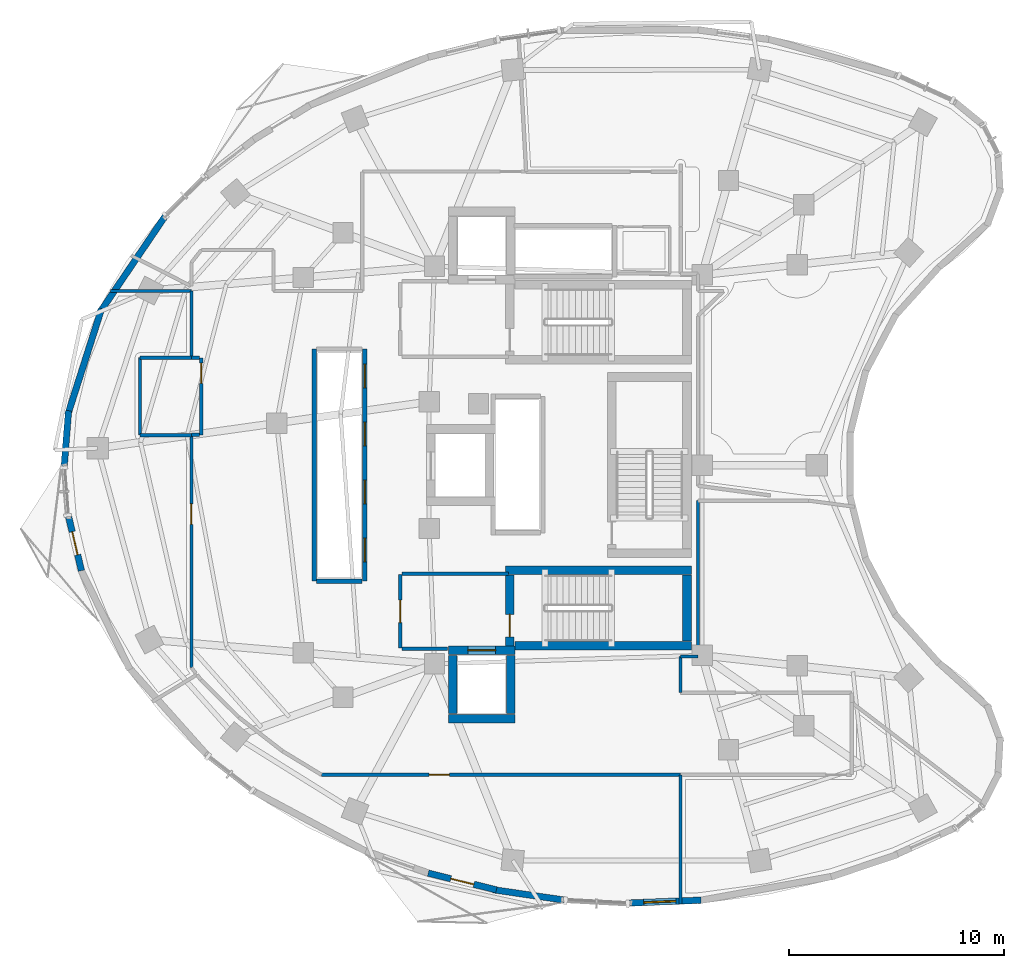
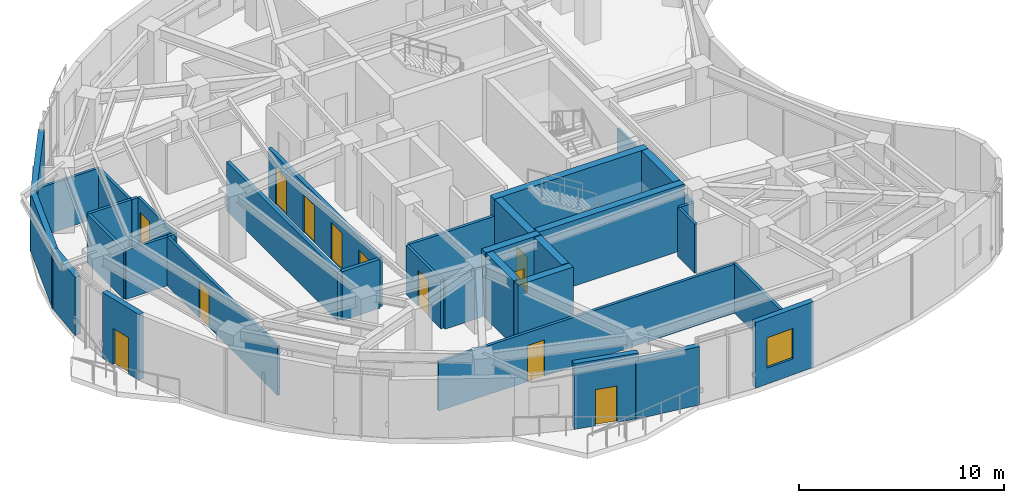
# One storey, part 7 of 13: 35 walls, 12 doors, 1 window, 13 openings.
"""IFC4 building model written with IfcOpenShell, lengths in metres."""

from ifc_helpers import new_model, si_unit, direction, frame, frame_2d, origin, place, context, subcontext, project, spatial, rectangle, extrude, material, layer, layer_set, type_object, element, fill, save


model = new_model("IFC4")

# Units and contexts
model_context = context("Model", 3, precision=1e-05, world=origin(), true_north=direction((0.0, 1.0)))
body_context = subcontext(model_context, "Body", "Model", "MODEL_VIEW")
ifc_project = project(units=[si_unit("LENGTHUNIT", "METRE"), si_unit("AREAUNIT", "SQUARE_METRE"), si_unit("VOLUMEUNIT", "CUBIC_METRE"), si_unit("PLANEANGLEUNIT", "RADIAN"), si_unit("MASSUNIT", "GRAM", prefix="KILO")], contexts=[model_context])

# Site, building, storey
site_placement = place(None, origin())
site = spatial("IfcSite", under=ifc_project, at=site_placement, CompositionType="ELEMENT")
building_placement = place(site_placement, origin())
building = spatial("IfcBuilding", under=site, at=building_placement, Name="Korentha Bioscience Tower", CompositionType="ELEMENT")
storey_placement = place(building_placement, frame((0.0, 0.0, 175.199951171875)))
storey = spatial("IfcBuildingStorey", under=building, at=storey_placement, Name="L40", CompositionType="ELEMENT", Elevation=175.199951171875)

# Wall, opening, door
ifc_material_1 = material(Name="Double-Stud Acoustic Gypsum", Category="gypsum")
ifc_layer_1 = layer(ifc_material_1, 0.14990234375, Name="Double-Stud Acoustic Gypsum")
ifc_layer_set_1 = layer_set([ifc_layer_1], Name="Double-Stud Acoustic Gypsum (IW-L150)")
wall_type_1 = type_object("IfcWallType", Name="Acoustic Laboratory Partition Wall 150", PredefinedType="PARTITIONING", material=ifc_layer_set_1)
wall_1_placement = place(storey_placement, frame((13.7900390625, 28.389892578125, 0.0), z_axis=(0.0, 0.0, 1.0), x_axis=(0.0, -1.0, 0.0)))
wall_1 = element("IfcWall", 1, at=wall_1_placement, inside=storey, type_object=wall_type_1, Name="L40 Staff Pantry Kitchenette 01 Entrance Wall", PredefinedType="PARTITIONING", context=body_context, shape_type="SweptSolid", body=[
    extrude(rectangle(XDim=10.807373046875, YDim=0.14990234375, at=frame_2d((5.40380859375, 0.0))), origin(), (0.0, 0.0, 1.0), 2.91015625),
])
opening_1_placement = place(wall_1_placement, frame((3.19189453125, 0.0, 0.0)))
opening_1 = element("IfcOpeningElement", 2, at=opening_1_placement, cuts=wall_1, Name="Opening ID-10L", PredefinedType="OPENING", context=body_context, shape_type="SweptSolid", body=[
    extrude(rectangle(XDim=0.949951171875, YDim=2.14990234375, at=frame_2d((0.47509765625, 1.074951171875))), frame((0.0, 0.08984375, 0.0), z_axis=(0.0, -1.0, 0.0), x_axis=(1.0, 0.0, 0.0)), (0.0, 0.0, 1.0), 0.1796875),
])
ifc_material_2 = material(Name="Phenolic Laminate Timber Core", Category="wood")
door_type_1 = type_object("IfcDoorType", Name="Laboratory Single Leaf Door 950x2150 Left", OperationType="SINGLE_SWING_LEFT", PredefinedType="DOOR", material=ifc_material_2)
door_1_placement = place(opening_1_placement, origin())
door_1 = element("IfcDoor", 3, at=door_1_placement, inside=storey, type_object=door_type_1, Name="L40 Staff Pantry Kitchenette 01 Door", OperationType="SINGLE_SWING_LEFT", OverallHeight=2.14990234375, OverallWidth=0.949951171875, PredefinedType="DOOR", context=body_context, shape_type="SweptSolid", body=[
    extrude(rectangle(XDim=0.949951171875, YDim=2.14990234375, at=frame_2d((0.47509765625, 1.074951171875))), frame((0.0, 0.02490234375, 0.0), z_axis=(0.0, -1.0, 0.0), x_axis=(1.0, 0.0, 0.0)), (0.0, 0.0, 1.0), 0.050048828125),
])
fill(opening_1, door_1)

# Walls
wall_2_placement = place(storey_placement, frame((10.016357421875, 35.097900390625, 0.0), z_axis=(0.0, 0.0, 1.0), x_axis=(1.0, 0.0, 0.0)))
element("IfcWall", 4, at=wall_2_placement, inside=storey, type_object=wall_type_1, Name="L40 Interior Partition 016", PredefinedType="PARTITIONING", context=body_context, shape_type="SweptSolid", body=[
    extrude(rectangle(XDim=3.773681640625, YDim=0.14990234375, at=frame_2d((1.88671875, 0.0))), origin(), (0.0, 0.0, 1.0), 2.91015625),
])
wall_3_placement = place(storey_placement, frame((13.7900390625, 35.097900390625, 0.0), z_axis=(0.0, 0.0, 1.0), x_axis=(0.0, -1.0, 0.0)))
element("IfcWall", 5, at=wall_3_placement, inside=storey, type_object=wall_type_1, Name="L40 Interior Partition 017", PredefinedType="PARTITIONING", context=body_context, shape_type="SweptSolid", body=[
    extrude(rectangle(XDim=3.087890625, YDim=0.14990234375, at=frame_2d((1.5439453125, 0.0))), origin(), (0.0, 0.0, 1.0), 2.91015625),
])
wall_4_placement = place(storey_placement, frame((36.552001953125, 18.090087890625, 0.0), z_axis=(0.0, 0.0, 1.0), x_axis=(1.0, 0.0, 0.0)))
element("IfcWall", 6, at=wall_4_placement, inside=storey, type_object=wall_type_1, Name="L40 Interior Partition 027", PredefinedType="PARTITIONING", context=body_context, shape_type="SweptSolid", body=[
    extrude(rectangle(XDim=0.798095703125, YDim=0.14990234375, at=frame_2d((0.39892578125, 0.0))), origin(), (0.0, 0.0, 1.0), 2.91015625),
])
wall_5_placement = place(storey_placement, frame((37.360107421875, 18.10009765625, 0.0), z_axis=(0.0, 0.0, 1.0), x_axis=(0.0, 1.0, 0.0)))
element("IfcWall", 7, at=wall_5_placement, inside=storey, type_object=wall_type_1, Name="L40 Interior Partition 028", PredefinedType="PARTITIONING", context=body_context, shape_type="SweptSolid", body=[
    extrude(rectangle(XDim=7.247802734375, YDim=0.14990234375, at=frame_2d((3.6240234375, 0.0))), origin(), (0.0, 0.0, 1.0), 2.91015625),
])
wall_6_placement = place(storey_placement, frame((36.552001953125, 16.409912109375, 0.0), z_axis=(0.0, 0.0, 1.0), x_axis=(0.0, 1.0, 0.0)))
element("IfcWall", 8, at=wall_6_placement, inside=storey, type_object=wall_type_1, Name="L40 Interior Partition 032", PredefinedType="PARTITIONING", context=body_context, shape_type="SweptSolid", body=[
    extrude(rectangle(XDim=1.68017578125, YDim=0.14990234375, at=frame_2d((0.840087890625, 0.0))), origin(), (0.0, 0.0, 1.0), 2.91015625),
])

# Wall, opening, door
ifc_material_3 = material(Name="Gypsum-Clad Steel Stud", Category="steel")
ifc_layer_2 = layer(ifc_material_3, 0.159912109375, Name="Gypsum-Clad Steel Stud")
ifc_layer_set_2 = layer_set([ifc_layer_2], Name="Gypsum-Clad Steel Stud (IW-C160)")
wall_type_2 = type_object("IfcWallType", Name="Fire-Rated Corridor Partition Wall 160", PredefinedType="PARTITIONING", material=ifc_layer_set_2)
wall_7_placement = place(storey_placement, frame((23.5, 18.5, 0.0), z_axis=(0.0, 0.0, 1.0), x_axis=(0.0, 1.0, 0.0)))
wall_7 = element("IfcWall", 9, at=wall_7_placement, inside=storey, type_object=wall_type_2, Name="L40 FFLS-CW Rated Enclosure Wall", PredefinedType="PARTITIONING", context=body_context, shape_type="SweptSolid", body=[
    extrude(rectangle(XDim=3.39990234375, YDim=0.159912109375, at=frame_2d((1.699951171875, 0.0))), origin(), (0.0, 0.0, 1.0), 2.91015625),
])
opening_2_placement = place(wall_7_placement, frame((1.175048828125, 0.0, 0.0)))
opening_2 = element("IfcOpeningElement", 10, at=opening_2_placement, cuts=wall_7, Name="Opening FD-90L", PredefinedType="OPENING", context=body_context, shape_type="SweptSolid", body=[
    extrude(rectangle(XDim=1.050048828125, YDim=2.14990234375, at=frame_2d((0.52490234375, 1.074951171875))), frame((0.0, 0.0947265625, 0.0), z_axis=(0.0, -1.0, 0.0), x_axis=(1.0, 0.0, 0.0)), (0.0, 0.0, 1.0), 0.189697265625),
])
ifc_material_4 = material(Name="Powder-Coated Fire-Rated Steel", Category="steel")
door_type_2 = type_object("IfcDoorType", Name="Stairwell Fire Exit Door 1050x2150 Left", OperationType="SINGLE_SWING_LEFT", PredefinedType="DOOR", material=ifc_material_4)
door_2_placement = place(opening_2_placement, origin())
door_2 = element("IfcDoor", 11, at=door_2_placement, inside=storey, type_object=door_type_2, Name="L40 South Firefighting Lobby Door", OperationType="SINGLE_SWING_LEFT", OverallHeight=2.14990234375, OverallWidth=1.050048828125, PredefinedType="DOOR", context=body_context, shape_type="SweptSolid", body=[
    extrude(rectangle(XDim=1.050048828125, YDim=2.14990234375, at=frame_2d((0.52490234375, 1.074951171875))), frame((0.0, 0.02490234375, 0.0), z_axis=(0.0, -1.0, 0.0), x_axis=(1.0, 0.0, 0.0)), (0.0, 0.0, 1.0), 0.050048828125),
])
fill(opening_2, door_2)

# Walls
wall_8_placement = place(storey_placement, frame((23.580078125, 21.949951171875, 0.0), z_axis=(0.0, 0.0, 1.0), x_axis=(1.0, 0.0, 0.0)))
element("IfcWall", 12, at=wall_8_placement, inside=storey, type_object=wall_type_2, Name="L40 Firefighting Lobby Return Wall FFLS-N", PredefinedType="PARTITIONING", context=body_context, shape_type="SweptSolid", body=[
    extrude(rectangle(XDim=4.969970703125, YDim=0.159912109375, at=frame_2d((2.48486328125, 0.0))), origin(), (0.0, 0.0, 1.0), 2.91015625),
])
wall_9_placement = place(storey_placement, frame((23.580078125, 18.449951171875, 0.0), z_axis=(0.0, 0.0, 1.0), x_axis=(1.0, 0.0, 0.0)))
element("IfcWall", 13, at=wall_9_placement, inside=storey, type_object=wall_type_2, Name="L40 Firefighting Lobby Return Wall FFLS-S", PredefinedType="PARTITIONING", context=body_context, shape_type="SweptSolid", body=[
    extrude(rectangle(XDim=2.119873046875, YDim=0.159912109375, at=frame_2d((1.06005859375, 0.0))), origin(), (0.0, 0.0, 1.0), 2.91015625),
])

# Wall, opening, door
wall_10_placement = place(storey_placement, frame((14.239990234375, 31.989990234375, 0.0), z_axis=(0.0, 0.0, 1.0), x_axis=(0.0, -1.0, 0.0)))
wall_10 = element("IfcWall", 14, at=wall_10_placement, inside=storey, type_object=wall_type_2, Name="L40 Reclaimed Bank-1 North Data Closet Entrance Wall", PredefinedType="PARTITIONING", context=body_context, shape_type="SweptSolid", body=[
    extrude(rectangle(XDim=3.580078125, YDim=0.159912109375, at=frame_2d((1.7900390625, 0.0))), origin(), (0.0, 0.0, 1.0), 2.91015625),
])
opening_3_placement = place(wall_10_placement, frame((0.239990234375, 0.0, 0.0)))
opening_3 = element("IfcOpeningElement", 15, at=opening_3_placement, cuts=wall_10, Name="Opening ID-10R", PredefinedType="OPENING", context=body_context, shape_type="SweptSolid", body=[
    extrude(rectangle(XDim=0.949951171875, YDim=2.14990234375, at=frame_2d((0.47509765625, 1.074951171875))), frame((0.0, 0.0947265625, 0.0), z_axis=(0.0, -1.0, 0.0), x_axis=(1.0, 0.0, 0.0)), (0.0, 0.0, 1.0), 0.189697265625),
])
door_type_3 = type_object("IfcDoorType", Name="Laboratory Single Leaf Door 950x2150 Right", OperationType="SINGLE_SWING_RIGHT", PredefinedType="DOOR", material=ifc_material_2)
door_3_placement = place(opening_3_placement, origin())
door_3 = element("IfcDoor", 16, at=door_3_placement, inside=storey, type_object=door_type_3, Name="L40 Reclaimed Bank-1 North Data Closet Door", OperationType="SINGLE_SWING_RIGHT", OverallHeight=2.14990234375, OverallWidth=0.949951171875, PredefinedType="DOOR", context=body_context, shape_type="SweptSolid", body=[
    extrude(rectangle(XDim=0.949951171875, YDim=2.14990234375, at=frame_2d((0.47509765625, 1.074951171875))), frame((0.0, 0.02490234375, 0.0), z_axis=(0.0, -1.0, 0.0), x_axis=(1.0, 0.0, 0.0)), (0.0, 0.0, 1.0), 0.050048828125),
])
fill(opening_3, door_3)

wall_11_placement = place(storey_placement, frame((19.849853515625, 12.590087890625, 0.0), z_axis=(0.0, 0.0, 1.0), x_axis=(1.0, 0.0, 0.0)))
wall_11 = element("IfcWall", 17, at=wall_11_placement, inside=storey, type_object=wall_type_2, Name="L40 Biospecimen Archive Store 02 Entrance Wall", PredefinedType="PARTITIONING", context=body_context, shape_type="SweptSolid", body=[
    extrude(rectangle(XDim=16.6982421875, YDim=0.159912109375, at=frame_2d((8.34912109375, 0.0))), origin(), (0.0, 0.0, 1.0), 2.91015625),
])
opening_4_placement = place(wall_11_placement, frame((4.9990234375, 0.0, 0.0)))
opening_4 = element("IfcOpeningElement", 18, at=opening_4_placement, cuts=wall_11, Name="Opening ID-10R", PredefinedType="OPENING", context=body_context, shape_type="SweptSolid", body=[
    extrude(rectangle(XDim=0.949951171875, YDim=2.14990234375, at=frame_2d((0.47509765625, 1.074951171875))), frame((0.0, 0.0947265625, 0.0), z_axis=(0.0, -1.0, 0.0), x_axis=(1.0, 0.0, 0.0)), (0.0, 0.0, 1.0), 0.189697265625),
])
door_4_placement = place(opening_4_placement, origin())
door_4 = element("IfcDoor", 19, at=door_4_placement, inside=storey, type_object=door_type_3, Name="L40 Biospecimen Archive Store 02 Door", OperationType="SINGLE_SWING_RIGHT", OverallHeight=2.14990234375, OverallWidth=0.949951171875, PredefinedType="DOOR", context=body_context, shape_type="SweptSolid", body=[
    extrude(rectangle(XDim=0.949951171875, YDim=2.14990234375, at=frame_2d((0.47509765625, 1.074951171875))), frame((0.0, 0.02490234375, 0.0), z_axis=(0.0, -1.0, 0.0), x_axis=(1.0, 0.0, 0.0)), (0.0, 0.0, 1.0), 0.050048828125),
])
fill(opening_4, door_4)

# Walls
for number, where, z_axis, x_axis, name in (
    (20, (13.800048828125, 31.989990234375, 0.0), (0.0, 0.0, 1.0), (1.0, 0.0, 0.0), "L40 Interior Partition 011"),
    (21, (14.156982421875, 28.409912109375, 0.0), (0.0, 0.0, 1.0), (-1.0, 0.0, 0.0), "L40 Interior Partition 012"),
):
    element("IfcWall", number, at=place(storey_placement, frame(where, z_axis=z_axis, x_axis=x_axis)), inside=storey, type_object=wall_type_2, Name=name, PredefinedType="PARTITIONING", context=body_context, shape_type="SweptSolid", body=[
        extrude(rectangle(XDim=0.35693359375, YDim=0.159912109375, at=frame_2d((0.178466796875, 0.0))), origin(), (0.0, 0.0, 1.0), 2.91015625),
    ])
wall_12_placement = place(storey_placement, frame((13.7900390625, 28.39990234375, 0.0), z_axis=(0.0, 0.0, 1.0), x_axis=(-1.0, 0.0, 0.0)))
element("IfcWall", 22, at=wall_12_placement, inside=storey, type_object=wall_type_2, Name="L40 Interior Partition 013", PredefinedType="PARTITIONING", context=body_context, shape_type="SweptSolid", body=[
    extrude(rectangle(XDim=2.39013671875, YDim=0.159912109375, at=frame_2d((1.195068359375, 0.0))), origin(), (0.0, 0.0, 1.0), 2.91015625),
])
wall_13_placement = place(storey_placement, frame((11.39990234375, 28.39990234375, 0.0), z_axis=(0.0, 0.0, 1.0), x_axis=(0.0, 1.0, 0.0)))
element("IfcWall", 23, at=wall_13_placement, inside=storey, type_object=wall_type_2, Name="L40 Interior Partition 014", PredefinedType="PARTITIONING", context=body_context, shape_type="SweptSolid", body=[
    extrude(rectangle(XDim=3.60009765625, YDim=0.159912109375, at=frame_2d((1.800048828125, 0.0))), origin(), (0.0, 0.0, 1.0), 2.91015625),
])
wall_14_placement = place(storey_placement, frame((11.39990234375, 32.0, 0.0), z_axis=(0.0, 0.0, 1.0), x_axis=(1.0, 0.0, 0.0)))
element("IfcWall", 24, at=wall_14_placement, inside=storey, type_object=wall_type_2, Name="L40 Interior Partition 015", PredefinedType="PARTITIONING", context=body_context, shape_type="SweptSolid", body=[
    extrude(rectangle(XDim=2.39013671875, YDim=0.159912109375, at=frame_2d((1.195068359375, 0.0))), origin(), (0.0, 0.0, 1.0), 2.91015625),
])
wall_15_placement = place(storey_placement, frame((36.548095703125, 12.590087890625, 0.0), z_axis=(0.0, 0.0, 1.0), x_axis=(0.0, -1.0, 0.0)))
element("IfcWall", 25, at=wall_15_placement, inside=storey, type_object=wall_type_2, Name="L40 Interior Partition 024", PredefinedType="PARTITIONING", context=body_context, shape_type="SweptSolid", body=[
    extrude(rectangle(XDim=6.00830078125, YDim=0.159912109375, at=frame_2d((3.004150390625, 0.0))), origin(), (0.0, 0.0, 1.0), 2.91015625),
])

# Wall, opening, door
ifc_material_5 = material(Name="Honed Limestone Precast Concrete C40", Category="masonry")
ifc_layer_3 = layer(ifc_material_5, 0.300048828125, Name="Honed Limestone Precast Concrete C40")
ifc_layer_set_3 = layer_set([ifc_layer_3], Name="Honed Limestone Precast Concrete C40 (EW-ST300)")
wall_type_3 = type_object("IfcWallType", Name="Honed Limestone Cavity Spandrel Wall 300", PredefinedType="STANDARD", material=ifc_layer_set_3)
wall_16_placement = place(storey_placement, frame((8.07080078125, 24.632568359375, 0.0), z_axis=(0.0, 0.0, 1.0), x_axis=(0.230740941285, -0.973015219827, 0.0)))
wall_16 = element("IfcWall", 26, at=wall_16_placement, inside=storey, type_object=wall_type_3, Name="L40 Balcony Threshold Wall 02", PredefinedType="STANDARD", context=body_context, shape_type="SweptSolid", body=[
    extrude(rectangle(XDim=2.614501953125, YDim=0.300048828125, at=frame_2d((1.30712890625, 0.0))), origin(), (0.0, 0.0, 1.0), 3.900146484375),
])
opening_5_placement = place(wall_16_placement, frame((0.757080078125, 0.0, 0.0)))
opening_5 = element("IfcOpeningElement", 27, at=opening_5_placement, cuts=wall_16, Name="Opening BD-11R", PredefinedType="OPENING", context=body_context, shape_type="SweptSolid", body=[
    extrude(rectangle(XDim=1.10009765625, YDim=2.14990234375, at=frame_2d((0.550048828125, 1.074951171875))), frame((0.0, 0.1650390625, 0.0), z_axis=(0.0, -1.0, 0.0), x_axis=(1.0, 0.0, 0.0)), (0.0, 0.0, 1.0), 0.329833984375),
])
ifc_material_6 = material(Name="Thermally Broken Glazed Aluminium", Category="aluminium")
door_type_4 = type_object("IfcDoorType", Name="Balcony Terrace Glazed Door 1100x2150 Right", OperationType="SINGLE_SWING_RIGHT", PredefinedType="DOOR", material=ifc_material_6)
door_5_placement = place(opening_5_placement, origin())
door_5 = element("IfcDoor", 28, at=door_5_placement, inside=storey, type_object=door_type_4, Name="L40 Balcony Access Door 02", OperationType="SINGLE_SWING_RIGHT", OverallHeight=2.14990234375, OverallWidth=1.10009765625, PredefinedType="DOOR", context=body_context, shape_type="SweptSolid", body=[
    extrude(rectangle(XDim=1.10009765625, YDim=2.14990234375, at=frame_2d((0.550048828125, 1.074951171875))), frame((0.0, 0.02490234375, 0.0), z_axis=(0.0, -1.0, 0.0), x_axis=(1.0, 0.0, 0.0)), (0.0, 0.0, 1.0), 0.050048828125),
])
fill(opening_5, door_5)

wall_17_placement = place(storey_placement, frame((24.806640625, 8.015625, 0.0), z_axis=(0.0, 0.0, 1.0), x_axis=(0.971312804689, -0.237805457142, 0.0)))
wall_17 = element("IfcWall", 29, at=wall_17_placement, inside=storey, type_object=wall_type_3, Name="L40 Balcony Threshold Wall 03", PredefinedType="STANDARD", context=body_context, shape_type="SweptSolid", body=[
    extrude(rectangle(XDim=3.268798828125, YDim=0.300048828125, at=frame_2d((1.63427734375, 0.0))), origin(), (0.0, 0.0, 1.0), 3.900146484375),
])
opening_6_placement = place(wall_17_placement, frame((1.08447265625, 0.0, 0.0)))
opening_6 = element("IfcOpeningElement", 30, at=opening_6_placement, cuts=wall_17, Name="Opening BD-11L", PredefinedType="OPENING", context=body_context, shape_type="SweptSolid", body=[
    extrude(rectangle(XDim=1.10009765625, YDim=2.14990234375, at=frame_2d((0.550048828125, 1.074951171875))), frame((0.0, 0.1650390625, 0.0), z_axis=(0.0, -1.0, 0.0), x_axis=(1.0, 0.0, 0.0)), (0.0, 0.0, 1.0), 0.329833984375),
])
door_type_5 = type_object("IfcDoorType", Name="Balcony Terrace Glazed Door 1100x2150 Left", OperationType="SINGLE_SWING_LEFT", PredefinedType="DOOR", material=ifc_material_6)
door_6_placement = place(opening_6_placement, origin())
door_6 = element("IfcDoor", 31, at=door_6_placement, inside=storey, type_object=door_type_5, Name="L40 Balcony Access Door 03", OperationType="SINGLE_SWING_LEFT", OverallHeight=2.14990234375, OverallWidth=1.10009765625, PredefinedType="DOOR", context=body_context, shape_type="SweptSolid", body=[
    extrude(rectangle(XDim=1.10009765625, YDim=2.14990234375, at=frame_2d((0.550048828125, 1.074951171875))), frame((0.0, 0.02490234375, 0.0), z_axis=(0.0, -1.0, 0.0), x_axis=(1.0, 0.0, 0.0)), (0.0, 0.0, 1.0), 0.050048828125),
])
fill(opening_6, door_6)

# Wall, opening, window
wall_18_placement = place(storey_placement, frame((34.17431640625, 6.626220703125, 0.0), z_axis=(0.0, 0.0, 1.0), x_axis=(0.999191674443, 0.040199474165, 0.0)))
wall_18 = element("IfcWall", 32, at=wall_18_placement, inside=storey, type_object=wall_type_3, Name="L40 Honed Limestone Spandrel Wall 32", PredefinedType="STANDARD", context=body_context, shape_type="SweptSolid", body=[
    extrude(rectangle(XDim=3.328125, YDim=0.300048828125, at=frame_2d((1.6640625, 0.0))), origin(), (0.0, 0.0, 1.0), 3.900146484375),
])
opening_7_placement = place(wall_18_placement, frame((0.66015625, 0.0, 0.949951171875)))
opening_7 = element("IfcOpeningElement", 33, at=opening_7_placement, cuts=wall_18, Name="Opening WN-02", PredefinedType="OPENING", context=body_context, shape_type="SweptSolid", body=[
    extrude(rectangle(XDim=1.5, YDim=1.800048828125, at=frame_2d((0.75, 0.89990234375))), frame((0.0, 0.1650390625, 0.0), z_axis=(0.0, -1.0, 0.0), x_axis=(1.0, 0.0, 0.0)), (0.0, 0.0, 1.0), 0.329833984375),
])
ifc_material_7 = material(Name="Thermally Broken Aluminium Triple Glazing", Category="aluminium")
window_type = type_object("IfcWindowType", Name="Acoustic Operable Office Window 1500x1800", PartitioningType="DOUBLE_PANEL_VERTICAL", PredefinedType="WINDOW", material=ifc_material_7)
window_placement = place(opening_7_placement, origin())
window = element("IfcWindow", 34, at=window_placement, inside=storey, type_object=window_type, Name="L40 Facade Window 32", OverallHeight=1.800048828125, OverallWidth=1.5, PartitioningType="DOUBLE_PANEL_VERTICAL", PredefinedType="WINDOW", context=body_context, shape_type="SweptSolid", body=[
    extrude(rectangle(XDim=1.5, YDim=1.800048828125, at=frame_2d((0.75, 0.89990234375))), frame((0.0, 0.030029296875, 0.0), z_axis=(0.0, -1.0, 0.0), x_axis=(1.0, 0.0, 0.0)), (0.0, 0.0, 1.0), 0.06005859375),
])
fill(opening_7, window)

# Walls
wall_19_placement = place(storey_placement, frame((12.580078125, 38.6005859375, 0.0), z_axis=(0.0, 0.0, 1.0), x_axis=(-0.561663900064, -0.827365495634, 0.0)))
element("IfcWall", 35, at=wall_19_placement, inside=storey, type_object=wall_type_3, Name="L40 Limestone Perimeter Closure Wall 14", PredefinedType="STANDARD", context=body_context, shape_type="SweptSolid", body=[
    extrude(rectangle(XDim=5.437744140625, YDim=0.300048828125, at=frame_2d((2.71875, 0.0))), origin(), (0.0, 0.0, 1.0), 3.469970703125),
])
wall_20_placement = place(storey_placement, frame((9.612548828125, 34.280029296875, 0.0), z_axis=(0.0, 0.0, 1.0), x_axis=(-0.303930984078, -0.952694052106, 0.0)))
element("IfcWall", 36, at=wall_20_placement, inside=storey, type_object=wall_type_3, Name="L40 Limestone Perimeter Closure Wall 16", PredefinedType="STANDARD", context=body_context, shape_type="SweptSolid", body=[
    extrude(rectangle(XDim=5.18115234375, YDim=0.300048828125, at=frame_2d((2.590576171875, 0.0))), origin(), (0.0, 0.0, 1.0), 3.469970703125),
])
wall_21_placement = place(storey_placement, frame((8.07470703125, 29.531494140625, 0.0), z_axis=(0.0, 0.0, 1.0), x_axis=(-0.078059201014, -0.99694872543, 0.0)))
element("IfcWall", 37, at=wall_21_placement, inside=storey, type_object=wall_type_3, Name="L40 Limestone Perimeter Closure Wall 18", PredefinedType="STANDARD", context=body_context, shape_type="SweptSolid", body=[
    extrude(rectangle(XDim=2.63037109375, YDim=0.300048828125, at=frame_2d((1.315185546875, 0.0))), origin(), (0.0, 0.0, 1.0), 3.469970703125),
])
wall_22_placement = place(storey_placement, frame((27.826416015625, 7.247314453125, 0.0), z_axis=(0.0, 0.0, 1.0), x_axis=(0.98945927954, -0.144811374319, 0.0)))
element("IfcWall", 38, at=wall_22_placement, inside=storey, type_object=wall_type_3, Name="L40 Limestone Perimeter Closure Wall 30", PredefinedType="STANDARD", context=body_context, shape_type="SweptSolid", body=[
    extrude(rectangle(XDim=3.346435546875, YDim=0.300048828125, at=frame_2d((1.67333984375, 0.0))), origin(), (0.0, 0.0, 1.0), 3.469970703125),
])
ifc_material_8 = material(Name="Autoclaved Aerated Concrete Block C25", Category="concrete")
ifc_layer_4 = layer(ifc_material_8, 0.199951171875, Name="Autoclaved Aerated Concrete Block C25")
ifc_layer_set_4 = layer_set([ifc_layer_4], Name="Autoclaved Aerated Concrete Block C25 (IW-S200)")
wall_type_4 = type_object("IfcWallType", Name="Lift and Riser Shaft Enclosure Wall 200", PredefinedType="PARTITIONING", material=ifc_layer_set_4)
wall_23_placement = place(storey_placement, frame((19.5, 21.60009765625, 0.0), z_axis=(0.0, 0.0, 1.0), x_axis=(0.0, 1.0, 0.0)))
element("IfcWall", 39, at=wall_23_placement, inside=storey, type_object=wall_type_4, Name="L40 Lift Bank MID Shaft Wall -X", PredefinedType="PARTITIONING", context=body_context, shape_type="SweptSolid", body=[
    extrude(rectangle(XDim=10.7998046875, YDim=0.199951171875, at=frame_2d((5.39990234375, 0.0))), origin(), (0.0, 0.0, 1.0), 2.91015625),
])

# Wall, openings, doors
wall_24_placement = place(storey_placement, frame((21.85009765625, 21.60009765625, 0.0), z_axis=(0.0, 0.0, 1.0), x_axis=(0.0, 1.0, 0.0)))
wall_24 = element("IfcWall", 40, at=wall_24_placement, inside=storey, type_object=wall_type_4, Name="L40 Lift Bank MID Shaft Wall +X", PredefinedType="PARTITIONING", context=body_context, shape_type="SweptSolid", body=[
    extrude(rectangle(XDim=10.7998046875, YDim=0.199951171875, at=frame_2d((5.39990234375, 0.0))), origin(), (0.0, 0.0, 1.0), 2.91015625),
])
opening_8_placement = place(wall_24_placement, frame((0.89990234375, 0.0, 0.0)))
opening_8 = element("IfcOpeningElement", 41, at=opening_8_placement, cuts=wall_24, Name="Opening LD-11", PredefinedType="OPENING", context=body_context, shape_type="SweptSolid", body=[
    extrude(rectangle(XDim=1.10009765625, YDim=2.199951171875, at=frame_2d((0.550048828125, 1.10009765625))), frame((0.0, 0.11474609375, 0.0), z_axis=(0.0, -1.0, 0.0), x_axis=(1.0, 0.0, 0.0)), (0.0, 0.0, 1.0), 0.229736328125),
])
opening_9_placement = place(wall_24_placement, frame((3.60009765625, 0.0, 0.0)))
opening_9 = element("IfcOpeningElement", 42, at=opening_9_placement, cuts=wall_24, Name="Opening LD-11", PredefinedType="OPENING", context=body_context, shape_type="SweptSolid", body=[
    extrude(rectangle(XDim=1.10009765625, YDim=2.199951171875, at=frame_2d((0.550048828125, 1.10009765625))), frame((0.0, 0.11474609375, 0.0), z_axis=(0.0, -1.0, 0.0), x_axis=(1.0, 0.0, 0.0)), (0.0, 0.0, 1.0), 0.229736328125),
])
opening_10_placement = place(wall_24_placement, frame((6.300048828125, 0.0, 0.0)))
opening_10 = element("IfcOpeningElement", 43, at=opening_10_placement, cuts=wall_24, Name="Opening LD-11", PredefinedType="OPENING", context=body_context, shape_type="SweptSolid", body=[
    extrude(rectangle(XDim=1.10009765625, YDim=2.199951171875, at=frame_2d((0.550048828125, 1.10009765625))), frame((0.0, 0.11474609375, 0.0), z_axis=(0.0, -1.0, 0.0), x_axis=(1.0, 0.0, 0.0)), (0.0, 0.0, 1.0), 0.229736328125),
])
opening_11_placement = place(wall_24_placement, frame((9.0, 0.0, 0.0)))
opening_11 = element("IfcOpeningElement", 44, at=opening_11_placement, cuts=wall_24, Name="Opening LD-11", PredefinedType="OPENING", context=body_context, shape_type="SweptSolid", body=[
    extrude(rectangle(XDim=1.10009765625, YDim=2.199951171875, at=frame_2d((0.550048828125, 1.10009765625))), frame((0.0, 0.11474609375, 0.0), z_axis=(0.0, -1.0, 0.0), x_axis=(1.0, 0.0, 0.0)), (0.0, 0.0, 1.0), 0.229736328125),
])
ifc_material_9 = material(Name="Brushed Stainless Steel 304", Category="steel")
door_type_6 = type_object("IfcDoorType", Name="Passenger Lift Sliding Landing Door 1100x2200", OperationType="DOUBLE_DOOR_SLIDING", PredefinedType="DOOR", material=ifc_material_9)
door_7_placement = place(opening_8_placement, origin())
door_7 = element("IfcDoor", 45, at=door_7_placement, inside=storey, type_object=door_type_6, Name="L40 PL-M1 Sliding Lift Landing Door", OperationType="DOUBLE_DOOR_SLIDING", OverallHeight=2.199951171875, OverallWidth=1.10009765625, PredefinedType="DOOR", context=body_context, shape_type="SweptSolid", body=[
    extrude(rectangle(XDim=1.10009765625, YDim=2.199951171875, at=frame_2d((0.550048828125, 1.10009765625))), frame((0.0, 0.02490234375, 0.0), z_axis=(0.0, -1.0, 0.0), x_axis=(1.0, 0.0, 0.0)), (0.0, 0.0, 1.0), 0.050048828125),
])
fill(opening_8, door_7)
door_8_placement = place(opening_9_placement, origin())
door_8 = element("IfcDoor", 46, at=door_8_placement, inside=storey, type_object=door_type_6, Name="L40 PL-M2 Sliding Lift Landing Door", OperationType="DOUBLE_DOOR_SLIDING", OverallHeight=2.199951171875, OverallWidth=1.10009765625, PredefinedType="DOOR", context=body_context, shape_type="SweptSolid", body=[
    extrude(rectangle(XDim=1.10009765625, YDim=2.199951171875, at=frame_2d((0.550048828125, 1.10009765625))), frame((0.0, 0.02490234375, 0.0), z_axis=(0.0, -1.0, 0.0), x_axis=(1.0, 0.0, 0.0)), (0.0, 0.0, 1.0), 0.050048828125),
])
fill(opening_9, door_8)
door_9_placement = place(opening_10_placement, origin())
door_9 = element("IfcDoor", 47, at=door_9_placement, inside=storey, type_object=door_type_6, Name="L40 PL-M3 Sliding Lift Landing Door", OperationType="DOUBLE_DOOR_SLIDING", OverallHeight=2.199951171875, OverallWidth=1.10009765625, PredefinedType="DOOR", context=body_context, shape_type="SweptSolid", body=[
    extrude(rectangle(XDim=1.10009765625, YDim=2.199951171875, at=frame_2d((0.550048828125, 1.10009765625))), frame((0.0, 0.02490234375, 0.0), z_axis=(0.0, -1.0, 0.0), x_axis=(1.0, 0.0, 0.0)), (0.0, 0.0, 1.0), 0.050048828125),
])
fill(opening_10, door_9)
door_10_placement = place(opening_11_placement, origin())
door_10 = element("IfcDoor", 48, at=door_10_placement, inside=storey, type_object=door_type_6, Name="L40 PL-M4 Sliding Lift Landing Door", OperationType="DOUBLE_DOOR_SLIDING", OverallHeight=2.199951171875, OverallWidth=1.10009765625, PredefinedType="DOOR", context=body_context, shape_type="SweptSolid", body=[
    extrude(rectangle(XDim=1.10009765625, YDim=2.199951171875, at=frame_2d((0.550048828125, 1.10009765625))), frame((0.0, 0.02490234375, 0.0), z_axis=(0.0, -1.0, 0.0), x_axis=(1.0, 0.0, 0.0)), (0.0, 0.0, 1.0), 0.050048828125),
])
fill(opening_11, door_10)

# Walls
wall_25_placement = place(storey_placement, frame((19.6201171875, 21.60009765625, 0.0), z_axis=(0.0, 0.0, 1.0), x_axis=(1.0, 0.0, 0.0)))
element("IfcWall", 49, at=wall_25_placement, inside=storey, type_object=wall_type_4, Name="L40 Lift Bank MID Shaft Wall -Y", PredefinedType="PARTITIONING", context=body_context, shape_type="SweptSolid", body=[
    extrude(rectangle(XDim=2.10986328125, YDim=0.199951171875, at=frame_2d((1.054931640625, 0.0))), origin(), (0.0, 0.0, 1.0), 2.91015625),
])
ifc_material_10 = material(Name="Concrete C65", Category="concrete")
ifc_layer_5 = layer(ifc_material_10, 0.39990234375, Name="Concrete C65")
ifc_layer_set_5 = layer_set([ifc_layer_5], Name="Concrete C65 (CW-C65)")
wall_type_5 = type_object("IfcWallType", Name="Mid-Rise Core Shear Wall 400", PredefinedType="SHEAR", material=ifc_layer_set_5)
wall_26_placement = place(storey_placement, frame((28.85205078125, 18.60009765625, 0.0), z_axis=(0.0, 0.0, 1.0), x_axis=(1.0, 0.0, 0.0)))
element("IfcWall", 50, at=wall_26_placement, inside=storey, type_object=wall_type_5, Name="L40 Core Shear Wall ST2-S", PredefinedType="SHEAR", context=body_context, shape_type="SweptSolid", body=[
    extrude(rectangle(XDim=8.197998046875, YDim=0.39990234375, at=frame_2d((4.09912109375, 0.0))), origin(), (0.0, 0.0, 1.0), 3.900146484375),
])
wall_27_placement = place(storey_placement, frame((28.39990234375, 22.10009765625, 0.0), z_axis=(0.0, 0.0, 1.0), x_axis=(1.0, 0.0, 0.0)))
element("IfcWall", 51, at=wall_27_placement, inside=storey, type_object=wall_type_5, Name="L40 Core Shear Wall ST2-N", PredefinedType="SHEAR", context=body_context, shape_type="SweptSolid", body=[
    extrude(rectangle(XDim=8.650146484375, YDim=0.39990234375, at=frame_2d((4.3251953125, 0.0))), origin(), (0.0, 0.0, 1.0), 3.900146484375),
])
wall_28_placement = place(storey_placement, frame((36.85009765625, 18.81005859375, 0.0), z_axis=(0.0, 0.0, 1.0), x_axis=(0.0, 1.0, 0.0)))
element("IfcWall", 52, at=wall_28_placement, inside=storey, type_object=wall_type_5, Name="L40 Core Shear Wall ST2-E", PredefinedType="SHEAR", context=body_context, shape_type="SweptSolid", body=[
    extrude(rectangle(XDim=3.079833984375, YDim=0.39990234375, at=frame_2d((1.5400390625, 0.0))), origin(), (0.0, 0.0, 1.0), 3.900146484375),
])

# Wall, opening, door
wall_29_placement = place(storey_placement, frame((28.60009765625, 18.58203125, 0.0), z_axis=(0.0, 0.0, 1.0), x_axis=(0.0, 1.0, 0.0)))
wall_29 = element("IfcWall", 53, at=wall_29_placement, inside=storey, type_object=wall_type_5, Name="L40 Core Shear Wall ST2-W", PredefinedType="SHEAR", context=body_context, shape_type="SweptSolid", body=[
    extrude(rectangle(XDim=3.307861328125, YDim=0.39990234375, at=frame_2d((1.65380859375, 0.0))), origin(), (0.0, 0.0, 1.0), 3.900146484375),
])
opening_12_placement = place(wall_29_placement, frame((0.427978515625, 0.0, 0.0)))
opening_12 = element("IfcOpeningElement", 54, at=opening_12_placement, cuts=wall_29, Name="Opening FD-90L", PredefinedType="OPENING", context=body_context, shape_type="SweptSolid", body=[
    extrude(rectangle(XDim=1.050048828125, YDim=2.14990234375, at=frame_2d((0.52490234375, 1.074951171875))), frame((0.0, 0.21484375, 0.0), z_axis=(0.0, -1.0, 0.0), x_axis=(1.0, 0.0, 0.0)), (0.0, 0.0, 1.0), 0.4296875),
])
door_11_placement = place(opening_12_placement, origin())
door_11 = element("IfcDoor", 55, at=door_11_placement, inside=storey, type_object=door_type_2, Name="L40 ST-2 Fire Exit Stair Door", OperationType="SINGLE_SWING_LEFT", OverallHeight=2.14990234375, OverallWidth=1.050048828125, PredefinedType="DOOR", context=body_context, shape_type="SweptSolid", body=[
    extrude(rectangle(XDim=1.050048828125, YDim=2.14990234375, at=frame_2d((0.52490234375, 1.074951171875))), frame((0.0, 0.02490234375, 0.0), z_axis=(0.0, -1.0, 0.0), x_axis=(1.0, 0.0, 0.0)), (0.0, 0.0, 1.0), 0.050048828125),
])
fill(opening_12, door_11)

# Wall
wall_30_placement = place(storey_placement, frame((25.75, 15.199951171875, 0.0), z_axis=(0.0, 0.0, 1.0), x_axis=(1.0, 0.0, 0.0)))
element("IfcWall", 56, at=wall_30_placement, inside=storey, type_object=wall_type_5, Name="L40 Core Shear Wall FFL1-S", PredefinedType="SHEAR", context=body_context, shape_type="SweptSolid", body=[
    extrude(rectangle(XDim=3.10009765625, YDim=0.39990234375, at=frame_2d((1.550048828125, 0.0))), origin(), (0.0, 0.0, 1.0), 3.900146484375),
])

# Wall, opening, door
wall_31_placement = place(storey_placement, frame((25.75, 18.3798828125, 0.0), z_axis=(0.0, 0.0, 1.0), x_axis=(1.0, 0.0, 0.0)))
wall_31 = element("IfcWall", 57, at=wall_31_placement, inside=storey, type_object=wall_type_5, Name="L40 Core Shear Wall FFL1-N", PredefinedType="SHEAR", context=body_context, shape_type="SweptSolid", body=[
    extrude(rectangle(XDim=3.10009765625, YDim=0.39990234375, at=frame_2d((1.550048828125, 0.0))), origin(), (0.0, 0.0, 1.0), 3.900146484375),
])
opening_13_placement = place(wall_31_placement, frame((0.89990234375, 0.0, 0.0)))
opening_13 = element("IfcOpeningElement", 58, at=opening_13_placement, cuts=wall_31, Name="Opening LD-13", PredefinedType="OPENING", context=body_context, shape_type="SweptSolid", body=[
    extrude(rectangle(XDim=1.300048828125, YDim=2.199951171875, at=frame_2d((0.64990234375, 1.10009765625))), frame((0.0, 0.21484375, 0.0), z_axis=(0.0, -1.0, 0.0), x_axis=(1.0, 0.0, 0.0)), (0.0, 0.0, 1.0), 0.4296875),
])
ifc_material_11 = material(Name="Brushed Stainless Steel 316", Category="steel")
door_type_7 = type_object("IfcDoorType", Name="Service & Firefighting Lift Landing Door 1300x2300", OperationType="DOUBLE_DOOR_SLIDING", PredefinedType="DOOR", material=ifc_material_11)
door_12_placement = place(opening_13_placement, origin())
door_12 = element("IfcDoor", 59, at=door_12_placement, inside=storey, type_object=door_type_7, Name="L40 FFL-1 Sliding Lift Landing Door", OperationType="DOUBLE_DOOR_SLIDING", OverallHeight=2.199951171875, OverallWidth=1.300048828125, PredefinedType="DOOR", context=body_context, shape_type="SweptSolid", body=[
    extrude(rectangle(XDim=1.300048828125, YDim=2.199951171875, at=frame_2d((0.64990234375, 1.10009765625))), frame((0.0, 0.02490234375, 0.0), z_axis=(0.0, -1.0, 0.0), x_axis=(1.0, 0.0, 0.0)), (0.0, 0.0, 1.0), 0.050048828125),
])
fill(opening_13, door_12)

# Walls
for number, where, z_axis, x_axis, name in (
    (60, (25.949951171875, 15.43994140625, 0.0), (0.0, 0.0, 1.0), (0.0, 1.0, 0.0), "L40 Core Shear Wall FFL1-W"),
    (61, (28.64990234375, 15.43994140625, 0.0), (0.0, 0.0, 1.0), (0.0, 1.0, 0.0), "L40 Core Shear Wall FFL1-E"),
):
    element("IfcWall", number, at=place(storey_placement, frame(where, z_axis=z_axis, x_axis=x_axis)), inside=storey, type_object=wall_type_5, Name=name, PredefinedType="SHEAR", context=body_context, shape_type="SweptSolid", body=[
        extrude(rectangle(XDim=2.699951171875, YDim=0.39990234375, at=frame_2d((1.35009765625, 0.0))), origin(), (0.0, 0.0, 1.0), 3.900146484375),
    ])

save(model, "model.ifc")
